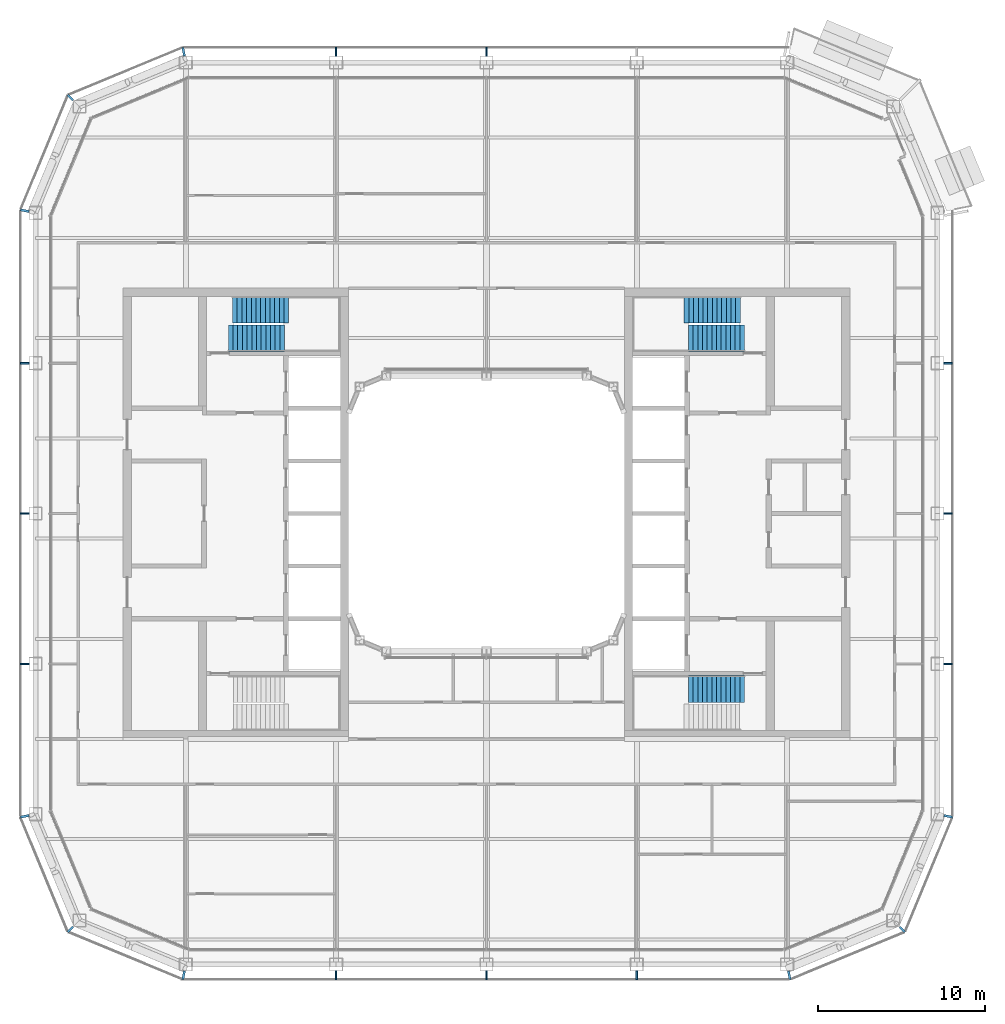
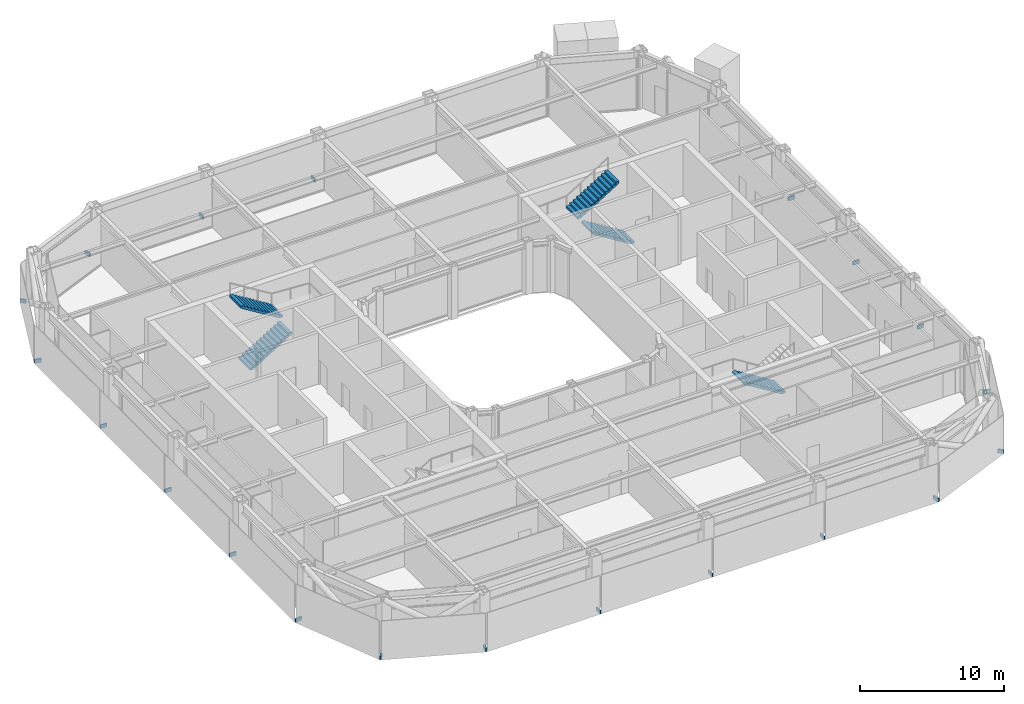
# One storey, part 16 of 23: 20 discrete accessories, 5 stair flights, 3 elements without a shape of their own.
"""IFC4 building model written with IfcOpenShell, lengths in metres."""

import ifcopenshell
import ifcopenshell.guid

model = None  # the IFC model being written
_history = None  # IfcOwnerHistory: only IFC2X3 demands one
_inside = {}  # id of a spatial element -> (the spatial element, [elements in it])
_under = {}  # id of a project, library or spatial element -> (it, [spatial elements below it])
_declared = {}  # id of a project -> (the project, [libraries it declares])
_typed = {}  # id of a type object -> (the type object, [elements of that type])
_made_of = {}  # id of a material, layer set ... -> (it, [elements and type objects made of it])


def new_model(schema):
    """Start an empty IFC model of exactly this schema.

    Asked for "IFC4X3", IfcOpenShell would pick the latest addendum, in which some entities
    have other attributes; the version numbers below select the first issue.
    IFC2X3 requires an IfcOwnerHistory on every rooted entity: one is made here for all.
    """
    global model, _history
    if schema == "IFC4X3":
        model = ifcopenshell.file(schema_version=(4, 3, 0, 0))
    else:
        model = ifcopenshell.file(schema=schema)
    _inside.clear()
    _under.clear()
    _declared.clear()
    _typed.clear()
    _made_of.clear()
    _history = None
    if model.schema == "IFC2X3":
        org = make("IfcOrganization", Name="unknown")
        user = make(
            "IfcPersonAndOrganization",
            ThePerson=make("IfcPerson", FamilyName="unknown"),
            TheOrganization=org,
        )
        app = make(
            "IfcApplication",
            ApplicationDeveloper=org,
            Version="unknown",
            ApplicationFullName="unknown",
            ApplicationIdentifier="unknown",
        )
        _history = make(
            "IfcOwnerHistory",
            OwningUser=user,
            OwningApplication=app,
            ChangeAction="ADDED",
            CreationDate=0,
        )
    return model


def make(cls, **values):
    """One entity of the class cls with the attributes given. An attribute that is None is left unset."""
    return model.create_entity(
        cls, **{name: value for name, value in values.items() if value is not None}
    )


def rooted(cls, **values):
    """An entity with a GlobalId (a new one), such as an element, a storey or a relation."""
    return make(cls, GlobalId=ifcopenshell.guid.new(), OwnerHistory=_history, **values)


def si_unit(unit_type, name, prefix=None):
    """IfcSIUnit, for example si_unit("LENGTHUNIT", "METRE", prefix="MILLI")."""
    return make("IfcSIUnit", UnitType=unit_type, Prefix=prefix, Name=name)


def assignment(units):
    """IfcUnitAssignment: the units of a project."""
    return None if units is None else make("IfcUnitAssignment", Units=units)


def point(xyz):
    """IfcCartesianPoint."""
    return None if xyz is None else make("IfcCartesianPoint", Coordinates=xyz)


def direction(xyz):
    """IfcDirection."""
    return None if xyz is None else make("IfcDirection", DirectionRatios=xyz)


def frame(location, z_axis=None, x_axis=None):
    """IfcAxis2Placement3D, a coordinate frame: its origin and axes. An axis left out is left unset."""
    return make(
        "IfcAxis2Placement3D",
        Location=point(location),
        Axis=direction(z_axis),
        RefDirection=direction(x_axis),
    )


def frame_2d(location, x_axis=None):
    """IfcAxis2Placement2D, a coordinate frame in the plane: its origin and x axis."""
    return make(
        "IfcAxis2Placement2D", Location=point(location), RefDirection=direction(x_axis)
    )


def origin():
    """The frame at (0, 0, 0) with its axes left unset."""
    return frame((0.0, 0.0, 0.0))


def origin_2d():
    """The frame at (0, 0) in the plane with its x axis left unset."""
    return frame_2d((0.0, 0.0))


def place(relative_to, where):
    """IfcLocalPlacement: puts the frame where relative to a parent placement (None: the world)."""
    return make(
        "IfcLocalPlacement", PlacementRelTo=relative_to, RelativePlacement=where
    )


def context(
    kind, dimensions, precision=None, world=None, true_north=None, identifier=None
):
    """IfcGeometricRepresentationContext, for example the 3D "Model" context."""
    return make(
        "IfcGeometricRepresentationContext",
        ContextIdentifier=identifier,
        ContextType=kind,
        CoordinateSpaceDimension=dimensions,
        Precision=precision,
        WorldCoordinateSystem=world,
        TrueNorth=true_north,
    )


def subcontext(parent, identifier, kind, view, scale=None):
    """IfcGeometricRepresentationSubContext, for example "Body" below "Model"."""
    return make(
        "IfcGeometricRepresentationSubContext",
        ContextIdentifier=identifier,
        ContextType=kind,
        ParentContext=parent,
        TargetScale=scale,
        TargetView=view,
    )


def project(units=None, contexts=None):
    """IfcProject with its units and contexts."""
    return rooted(
        "IfcProject",
        Name="project",
        RepresentationContexts=contexts,
        UnitsInContext=assignment(units),
    )


def spatial(cls, under=None, at=None, **own):
    """A site, building, storey or space (cls), placed at a placement, below another one or the project."""
    s = rooted(cls, ObjectPlacement=at, **own)
    if under is not None:
        _under.setdefault(under.id(), (under, []))[1].append(s)
    return s


def polyline(points):
    """IfcPolyline through the points."""
    return make("IfcPolyline", Points=[point(p) for p in points])


def profile(cls, at=None, kind="AREA", **sizes):
    """A parametric profile (cls). Its sizes go by their IFC names, for example OverallWidth=200.0."""
    return make(cls, ProfileType=kind, Position=at, **sizes)


def rectangle(**sizes):
    """IfcRectangleProfileDef."""
    return profile("IfcRectangleProfileDef", **sizes)


def outline(outer, holes=None, kind="AREA"):
    """IfcArbitraryClosedProfileDef: a profile drawn as a closed curve; with holes, ...WithVoids."""
    if holes is None:
        return make("IfcArbitraryClosedProfileDef", ProfileType=kind, OuterCurve=outer)
    return make(
        "IfcArbitraryProfileDefWithVoids",
        ProfileType=kind,
        OuterCurve=outer,
        InnerCurves=holes,
    )


def extrude(swept, where, along, depth):
    """IfcExtrudedAreaSolid: the profile swept, set in the frame where, extruded along a direction by depth."""
    return make(
        "IfcExtrudedAreaSolid",
        SweptArea=swept,
        Position=where,
        ExtrudedDirection=direction(along),
        Depth=depth,
    )


def shape(context_of_items, identifier, shape_type, items):
    """IfcShapeRepresentation: the items that make up one representation, for example the "Body"."""
    return make(
        "IfcShapeRepresentation",
        ContextOfItems=context_of_items,
        RepresentationIdentifier=identifier,
        RepresentationType=shape_type,
        Items=items,
    )


def material(Name=None, Category=None):
    """IfcMaterial."""
    return make("IfcMaterial", Name=Name, Category=Category)


def made_of(thing, what):
    """Note that an element or type object is made of a material, layer set ...; save() writes the relation."""
    if what is not None:
        _made_of.setdefault(what.id(), (what, []))[1].append(thing)
    return thing


def type_object(cls, material=None, **own):
    """A type object (cls), such as IfcWallType, which elements share."""
    return made_of(rooted(cls, **own), material)


def element(
    cls,
    number,
    at=None,
    inside=None,
    cuts=None,
    type_object=None,
    material=None,
    context=None,
    identifier="Body",
    shape_type=None,
    held_by="IfcProductDefinitionShape",
    body=None,
    shapes=None,
    **own,
):
    """One element of the class cls, such as IfcWall. Its Tag is "e" and its number.

    at: its placement. inside: the storey or other place that contains it. cuts: it is an
    opening in that element (IfcRelVoidsElement). A single representation is given by context,
    identifier, shape_type and body (its items); several are given by shapes. held_by: the class
    of the entity that holds the representations. save() writes the other relations.
    """
    e = rooted(cls, Tag="e%d" % number, ObjectPlacement=at, **own)
    if body is not None:
        shapes = [shape(context, identifier, shape_type, body)]
    if shapes is not None:
        e.Representation = make(held_by, Representations=shapes)
    if inside is not None:
        _inside.setdefault(inside.id(), (inside, []))[1].append(e)
    if cuts is not None:
        rooted(
            "IfcRelVoidsElement", RelatingBuildingElement=cuts, RelatedOpeningElement=e
        )
    if type_object is not None:
        _typed.setdefault(type_object.id(), (type_object, []))[1].append(e)
    return made_of(e, material)


def aggregate(whole, parts):
    """IfcRelAggregates: a whole, such as a stair, and the parts it consists of."""
    return rooted("IfcRelAggregates", RelatingObject=whole, RelatedObjects=parts)


def save(model, path):
    """Write the relations noted so far, then the file.

    IfcRelAggregates (storeys below a building ...), IfcRelContainedInSpatialStructure (elements
    in a storey), IfcRelDefinesByType, IfcRelAssociatesMaterial and IfcRelDeclares: one each for
    every whole, place, type object, material and project.
    """
    for whole, parts in _under.values():
        aggregate(whole, parts)
    for where, things in _inside.values():
        rooted(
            "IfcRelContainedInSpatialStructure",
            RelatedElements=things,
            RelatingStructure=where,
        )
    for kind, things in _typed.values():
        rooted("IfcRelDefinesByType", RelatedObjects=things, RelatingType=kind)
    for what, things in _made_of.values():
        rooted("IfcRelAssociatesMaterial", RelatedObjects=things, RelatingMaterial=what)
    for by, libraries in _declared.values():
        rooted("IfcRelDeclares", RelatingContext=by, RelatedDefinitions=libraries)
    model.write(path)


model = new_model("IFC4")

# Units and contexts
model_context = context("Model", 3, precision=1e-05, world=origin(), true_north=direction((0.0, 1.0)))
body_context = subcontext(model_context, "Body", "Model", "MODEL_VIEW")
ifc_project = project(units=[si_unit("LENGTHUNIT", "METRE"), si_unit("AREAUNIT", "SQUARE_METRE"), si_unit("VOLUMEUNIT", "CUBIC_METRE"), si_unit("PLANEANGLEUNIT", "RADIAN"), si_unit("MASSUNIT", "GRAM", prefix="KILO")], contexts=[model_context])

# Site, building, storey
site_placement = place(None, origin())
site = spatial("IfcSite", under=ifc_project, at=site_placement, CompositionType="ELEMENT")
building_placement = place(site_placement, origin())
building = spatial("IfcBuilding", under=site, at=building_placement, Name="Siwar Civic Tower", CompositionType="ELEMENT")
storey_placement = place(building_placement, frame((0.0, 0.0, 260.199951171875)))
storey = spatial("IfcBuildingStorey", under=building, at=storey_placement, Name="L56", CompositionType="ELEMENT", Elevation=260.199951171875)

# Stair, stair flights
ifc_material_1 = material(Name="Concrete C40/50", Category="concrete")
stair_type = type_object("IfcStairType", Name="CORE-STAIR", PredefinedType="TWO_STRAIGHT_RUN_STAIR", material=ifc_material_1)
stair_1_placement = place(storey_placement, origin())
stair_1 = element("IfcStair", 1, at=stair_1_placement, inside=storey, type_object=stair_type, Name="Exit stair ST1", PredefinedType="TWO_STRAIGHT_RUN_STAIR")
ifc_material_2 = material(Name="Concrete C40/50", Category="concrete")
stair_flight_type = type_object("IfcStairFlightType", Name="CORE-STAIR-FLIGHT", PredefinedType="STRAIGHT", material=ifc_material_2)
stair_flight_1_placement = place(storey_placement, frame((-15.449951171875, 10.5, 0.0), z_axis=(0.0, 0.0, 1.0), x_axis=(1.0, 0.0, 0.0)))
stair_flight_1 = element("IfcStairFlight", 2, at=stair_flight_1_placement, type_object=stair_flight_type, Name="ST1 flight 1", NumberOfRisers=13, NumberOfTreads=12, PredefinedType="STRAIGHT", RiserHeight=0.173076923, TreadLength=0.28, context=body_context, shape_type="SweptSolid", body=[
    extrude(outline(polyline([(0.0, 0.0), (0.0, 0.173095703125), (0.280029296875, 0.173095703125), (0.280029296875, 0.34619140625), (0.56005859375, 0.34619140625), (0.56005859375, 0.519287109375), (0.840087890625, 0.519287109375), (0.840087890625, 0.6923828125), (1.1201171875, 0.6923828125), (1.1201171875, 0.865478515625), (1.39990234375, 0.865478515625), (1.39990234375, 1.03857421875), (1.679931640625, 1.03857421875), (1.679931640625, 1.21142578125), (1.9599609375, 1.21142578125), (1.9599609375, 1.384521484375), (2.239990234375, 1.384521484375), (2.239990234375, 1.5576171875), (2.52001953125, 1.5576171875), (2.52001953125, 1.730712890625), (2.800048828125, 1.730712890625), (2.800048828125, 1.90380859375), (3.080078125, 1.90380859375), (3.080078125, 2.076904296875), (3.360107421875, 2.076904296875), (3.360107421875, 2.25), (3.360107421875, 1.900634765625), (0.28515625, 0.0), (0.0, 0.0)])), frame((0.0, 0.800048828125, 0.0), z_axis=(0.0, -1.0, 0.0), x_axis=(1.0, 0.0, 0.0)), (0.0, 0.0, 1.0), 1.60009765625),
])
stair_flight_2_placement = place(storey_placement, frame((-11.840087890625, 12.199951171875, 2.25), z_axis=(0.0, 0.0, 1.0), x_axis=(-1.0, 0.0, 0.0)))
stair_flight_2 = element("IfcStairFlight", 3, at=stair_flight_2_placement, type_object=stair_flight_type, Name="ST1 flight 2", NumberOfRisers=13, NumberOfTreads=12, PredefinedType="STRAIGHT", RiserHeight=0.173076923, TreadLength=0.28, context=body_context, shape_type="SweptSolid", body=[
    extrude(outline(polyline([(0.0, 0.0), (0.0, 0.173095703125), (0.280029296875, 0.173095703125), (0.280029296875, 0.34619140625), (0.56005859375, 0.34619140625), (0.56005859375, 0.519287109375), (0.840087890625, 0.519287109375), (0.840087890625, 0.6923828125), (1.1201171875, 0.6923828125), (1.1201171875, 0.865478515625), (1.39990234375, 0.865478515625), (1.39990234375, 1.03857421875), (1.679931640625, 1.03857421875), (1.679931640625, 1.21142578125), (1.9599609375, 1.21142578125), (1.9599609375, 1.384521484375), (2.239990234375, 1.384521484375), (2.239990234375, 1.5576171875), (2.52001953125, 1.5576171875), (2.52001953125, 1.730712890625), (2.800048828125, 1.730712890625), (2.800048828125, 1.90380859375), (3.080078125, 1.90380859375), (3.080078125, 2.076904296875), (3.360107421875, 2.076904296875), (3.360107421875, 2.25), (3.360107421875, 1.900634765625), (0.28515625, 0.0), (0.0, 0.0)])), frame((0.0, 0.800048828125, 0.0), z_axis=(0.0, -1.0, 0.0), x_axis=(1.0, 0.0, 0.0)), (0.0, 0.0, 1.0), 1.60009765625),
])
aggregate(stair_1, [stair_flight_1, stair_flight_2])

stair_2_placement = place(storey_placement, origin())
stair_2 = element("IfcStair", 4, at=stair_2_placement, inside=storey, type_object=stair_type, Name="Exit stair ST3", PredefinedType="TWO_STRAIGHT_RUN_STAIR")
stair_flight_3_placement = place(storey_placement, frame((15.449951171875, 10.5, 0.0), z_axis=(0.0, 0.0, 1.0), x_axis=(-1.0, 0.0, 0.0)))
stair_flight_3 = element("IfcStairFlight", 5, at=stair_flight_3_placement, type_object=stair_flight_type, Name="ST3 flight 1", NumberOfRisers=13, NumberOfTreads=12, PredefinedType="STRAIGHT", RiserHeight=0.173076923, TreadLength=0.28, context=body_context, shape_type="SweptSolid", body=[
    extrude(outline(polyline([(0.0, 0.0), (0.0, 0.173095703125), (0.280029296875, 0.173095703125), (0.280029296875, 0.34619140625), (0.56005859375, 0.34619140625), (0.56005859375, 0.519287109375), (0.840087890625, 0.519287109375), (0.840087890625, 0.6923828125), (1.1201171875, 0.6923828125), (1.1201171875, 0.865478515625), (1.39990234375, 0.865478515625), (1.39990234375, 1.03857421875), (1.679931640625, 1.03857421875), (1.679931640625, 1.21142578125), (1.9599609375, 1.21142578125), (1.9599609375, 1.384521484375), (2.239990234375, 1.384521484375), (2.239990234375, 1.5576171875), (2.52001953125, 1.5576171875), (2.52001953125, 1.730712890625), (2.800048828125, 1.730712890625), (2.800048828125, 1.90380859375), (3.080078125, 1.90380859375), (3.080078125, 2.076904296875), (3.360107421875, 2.076904296875), (3.360107421875, 2.25), (3.360107421875, 1.900634765625), (0.28515625, 0.0), (0.0, 0.0)])), frame((0.0, 0.800048828125, 0.0), z_axis=(0.0, -1.0, 0.0), x_axis=(1.0, 0.0, 0.0)), (0.0, 0.0, 1.0), 1.60009765625),
])
stair_flight_4_placement = place(storey_placement, frame((11.840087890625, 12.199951171875, 2.25), z_axis=(0.0, 0.0, 1.0), x_axis=(1.0, 0.0, 0.0)))
stair_flight_4 = element("IfcStairFlight", 6, at=stair_flight_4_placement, type_object=stair_flight_type, Name="ST3 flight 2", NumberOfRisers=13, NumberOfTreads=12, PredefinedType="STRAIGHT", RiserHeight=0.173076923, TreadLength=0.28, context=body_context, shape_type="SweptSolid", body=[
    extrude(outline(polyline([(0.0, 0.0), (0.0, 0.173095703125), (0.280029296875, 0.173095703125), (0.280029296875, 0.34619140625), (0.56005859375, 0.34619140625), (0.56005859375, 0.519287109375), (0.840087890625, 0.519287109375), (0.840087890625, 0.6923828125), (1.1201171875, 0.6923828125), (1.1201171875, 0.865478515625), (1.39990234375, 0.865478515625), (1.39990234375, 1.03857421875), (1.679931640625, 1.03857421875), (1.679931640625, 1.21142578125), (1.9599609375, 1.21142578125), (1.9599609375, 1.384521484375), (2.239990234375, 1.384521484375), (2.239990234375, 1.5576171875), (2.52001953125, 1.5576171875), (2.52001953125, 1.730712890625), (2.800048828125, 1.730712890625), (2.800048828125, 1.90380859375), (3.080078125, 1.90380859375), (3.080078125, 2.076904296875), (3.360107421875, 2.076904296875), (3.360107421875, 2.25), (3.360107421875, 1.900634765625), (0.28515625, 0.0), (0.0, 0.0)])), frame((0.0, 0.800048828125, 0.0), z_axis=(0.0, -1.0, 0.0), x_axis=(1.0, 0.0, 0.0)), (0.0, 0.0, 1.0), 1.60009765625),
])
aggregate(stair_2, [stair_flight_3, stair_flight_4])

# Stair, stair flight
stair_3_placement = place(storey_placement, origin())
stair_3 = element("IfcStair", 7, at=stair_3_placement, inside=storey, type_object=stair_type, Name="Exit stair ST4", PredefinedType="TWO_STRAIGHT_RUN_STAIR")
stair_flight_5_placement = place(storey_placement, frame((15.449951171875, -10.5, 0.0), z_axis=(0.0, 0.0, 1.0), x_axis=(-1.0, 0.0, 0.0)))
stair_flight_5 = element("IfcStairFlight", 8, at=stair_flight_5_placement, type_object=stair_flight_type, Name="ST4 flight 1", NumberOfRisers=13, NumberOfTreads=12, PredefinedType="STRAIGHT", RiserHeight=0.173076923, TreadLength=0.28, context=body_context, shape_type="SweptSolid", body=[
    extrude(outline(polyline([(0.0, 0.0), (0.0, 0.173095703125), (0.280029296875, 0.173095703125), (0.280029296875, 0.34619140625), (0.56005859375, 0.34619140625), (0.56005859375, 0.519287109375), (0.840087890625, 0.519287109375), (0.840087890625, 0.6923828125), (1.1201171875, 0.6923828125), (1.1201171875, 0.865478515625), (1.39990234375, 0.865478515625), (1.39990234375, 1.03857421875), (1.679931640625, 1.03857421875), (1.679931640625, 1.21142578125), (1.9599609375, 1.21142578125), (1.9599609375, 1.384521484375), (2.239990234375, 1.384521484375), (2.239990234375, 1.5576171875), (2.52001953125, 1.5576171875), (2.52001953125, 1.730712890625), (2.800048828125, 1.730712890625), (2.800048828125, 1.90380859375), (3.080078125, 1.90380859375), (3.080078125, 2.076904296875), (3.360107421875, 2.076904296875), (3.360107421875, 2.25), (3.360107421875, 1.900634765625), (0.28515625, 0.0), (0.0, 0.0)])), frame((0.0, 0.800048828125, 0.0), z_axis=(0.0, -1.0, 0.0), x_axis=(1.0, 0.0, 0.0)), (0.0, 0.0, 1.0), 1.60009765625),
])
aggregate(stair_3, [stair_flight_5])

# Discrete accessories
ifc_material_3 = material(Name="Stainless steel 316", Category="steel")
discrete_accessory_type = type_object("IfcDiscreteAccessoryType", Name="ENV-BRACKET", PredefinedType="BRACKET", material=ifc_material_3)
for number, where, z_axis, x_axis, name in (
    (9, (27.639892578125, -9.0, -0.14990234375), (0.0, 0.0, 1.0), (1.0, 0.0, 0.0), "Bracket outer skin joint E-01"),
    (10, (27.639892578125, 0.0, -0.14990234375), (0.0, 0.0, 1.0), (1.0, 0.0, 0.0), "Bracket outer skin joint E-02"),
    (11, (27.639892578125, 9.0, -0.14990234375), (0.0, 0.0, 1.0), (1.0, 0.0, 0.0), "Bracket outer skin joint E-03"),
    (12, (0.0, 27.639892578125, -0.14990234375), (0.0, 0.0, 1.0), (0.0, 1.0, 0.0), "Bracket outer skin joint N-02"),
    (13, (-9.0, 27.639892578125, -0.14990234375), (0.0, 0.0, 1.0), (0.0, 1.0, 0.0), "Bracket outer skin joint N-03"),
    (14, (-9.0, -27.639892578125, -0.14990234375), (0.0, 0.0, 1.0), (0.0, -1.0, 0.0), "Bracket outer skin joint S-01"),
    (15, (0.0, -27.639892578125, -0.14990234375), (0.0, 0.0, 1.0), (0.0, -1.0, 0.0), "Bracket outer skin joint S-02"),
    (16, (9.0, -27.639892578125, -0.14990234375), (0.0, 0.0, 1.0), (0.0, -1.0, 0.0), "Bracket outer skin joint S-03"),
):
    element("IfcDiscreteAccessory", number, at=place(storey_placement, frame(where, z_axis=z_axis, x_axis=x_axis)), inside=storey, type_object=discrete_accessory_type, Name=name, PredefinedType="BRACKET", context=body_context, shape_type="SweptSolid", body=[
        extrude(rectangle(XDim=0.52001953125, YDim=0.10009765625, at=origin_2d()), origin(), (0.0, 0.0, 1.0), 0.300048828125),
    ])
for number, where, z_axis, x_axis, name in (
    (17, (-18.12744140625, -27.64013671875, -0.14990234375), (0.0, 0.0, 1.0), (-0.195090322016, -0.980785280403, 0.0), "Bracket outer skin joint V00"),
    (18, (18.12744140625, -27.64013671875, -0.14990234375), (0.0, 0.0, 1.0), (0.195090322016, -0.980785280403, 0.0), "Bracket outer skin joint V01"),
):
    element("IfcDiscreteAccessory", number, at=place(storey_placement, frame(where, z_axis=z_axis, x_axis=x_axis)), inside=storey, type_object=discrete_accessory_type, Name=name, PredefinedType="BRACKET", context=body_context, shape_type="SweptSolid", body=[
        extrude(rectangle(XDim=0.52978515625, YDim=0.13720703125, at=origin_2d()), origin(), (0.0, 0.0, 1.0), 0.300048828125),
    ])
discrete_accessory_1_placement = place(storey_placement, frame((24.9013671875, -24.9013671875, -0.14990234375), z_axis=(0.0, 0.0, 1.0), x_axis=(0.707106781187, -0.707106781187, 0.0)))
element("IfcDiscreteAccessory", 19, at=discrete_accessory_1_placement, inside=storey, type_object=discrete_accessory_type, Name="Bracket outer skin joint V02", PredefinedType="BRACKET", context=body_context, shape_type="SweptSolid", body=[
    extrude(rectangle(XDim=0.428466796875, YDim=0.12939453125, at=origin_2d()), origin(), (0.0, 0.0, 1.0), 0.300048828125),
])
for number, where, z_axis, x_axis, name in (
    (20, (27.64013671875, -18.12744140625, -0.14990234375), (0.0, 0.0, 1.0), (0.980785280403, -0.195090322016, 0.0), "Bracket outer skin joint V03"),
    (21, (-18.12744140625, 27.64013671875, -0.14990234375), (0.0, 0.0, 1.0), (-0.195090322016, 0.980785280403, 0.0), "Bracket outer skin joint V07"),
):
    element("IfcDiscreteAccessory", number, at=place(storey_placement, frame(where, z_axis=z_axis, x_axis=x_axis)), inside=storey, type_object=discrete_accessory_type, Name=name, PredefinedType="BRACKET", context=body_context, shape_type="SweptSolid", body=[
        extrude(rectangle(XDim=0.52978515625, YDim=0.13720703125, at=origin_2d()), origin(), (0.0, 0.0, 1.0), 0.300048828125),
    ])
discrete_accessory_2_placement = place(storey_placement, frame((-24.9013671875, 24.9013671875, -0.14990234375), z_axis=(0.0, 0.0, 1.0), x_axis=(-0.707106781187, 0.707106781187, 0.0)))
element("IfcDiscreteAccessory", 22, at=discrete_accessory_2_placement, inside=storey, type_object=discrete_accessory_type, Name="Bracket outer skin joint V08", PredefinedType="BRACKET", context=body_context, shape_type="SweptSolid", body=[
    extrude(rectangle(XDim=0.428466796875, YDim=0.12939453125, at=origin_2d()), origin(), (0.0, 0.0, 1.0), 0.300048828125),
])
for number, where, z_axis, x_axis, name in (
    (23, (-27.64013671875, 18.12744140625, -0.14990234375), (0.0, 0.0, 1.0), (-0.980785280403, 0.195090322016, 0.0), "Bracket outer skin joint V09"),
    (24, (-27.64013671875, -18.12744140625, -0.14990234375), (0.0, 0.0, 1.0), (-0.980785280403, -0.195090322016, 0.0), "Bracket outer skin joint V10"),
):
    element("IfcDiscreteAccessory", number, at=place(storey_placement, frame(where, z_axis=z_axis, x_axis=x_axis)), inside=storey, type_object=discrete_accessory_type, Name=name, PredefinedType="BRACKET", context=body_context, shape_type="SweptSolid", body=[
        extrude(rectangle(XDim=0.52978515625, YDim=0.13720703125, at=origin_2d()), origin(), (0.0, 0.0, 1.0), 0.300048828125),
    ])
discrete_accessory_3_placement = place(storey_placement, frame((-24.9013671875, -24.9013671875, -0.14990234375), z_axis=(0.0, 0.0, 1.0), x_axis=(-0.707106781187, -0.707106781187, 0.0)))
element("IfcDiscreteAccessory", 25, at=discrete_accessory_3_placement, inside=storey, type_object=discrete_accessory_type, Name="Bracket outer skin joint V11", PredefinedType="BRACKET", context=body_context, shape_type="SweptSolid", body=[
    extrude(rectangle(XDim=0.428466796875, YDim=0.12939453125, at=origin_2d()), origin(), (0.0, 0.0, 1.0), 0.300048828125),
])
for number, where, z_axis, x_axis, name in (
    (26, (-27.639892578125, 9.0, -0.14990234375), (0.0, 0.0, 1.0), (-1.0, 0.0, 0.0), "Bracket outer skin joint W-01"),
    (27, (-27.639892578125, 0.0, -0.14990234375), (0.0, 0.0, 1.0), (-1.0, 0.0, 0.0), "Bracket outer skin joint W-02"),
    (28, (-27.639892578125, -9.0, -0.14990234375), (0.0, 0.0, 1.0), (-1.0, 0.0, 0.0), "Bracket outer skin joint W-03"),
):
    element("IfcDiscreteAccessory", number, at=place(storey_placement, frame(where, z_axis=z_axis, x_axis=x_axis)), inside=storey, type_object=discrete_accessory_type, Name=name, PredefinedType="BRACKET", context=body_context, shape_type="SweptSolid", body=[
        extrude(rectangle(XDim=0.52001953125, YDim=0.10009765625, at=origin_2d()), origin(), (0.0, 0.0, 1.0), 0.300048828125),
    ])

save(model, "model.ifc")
